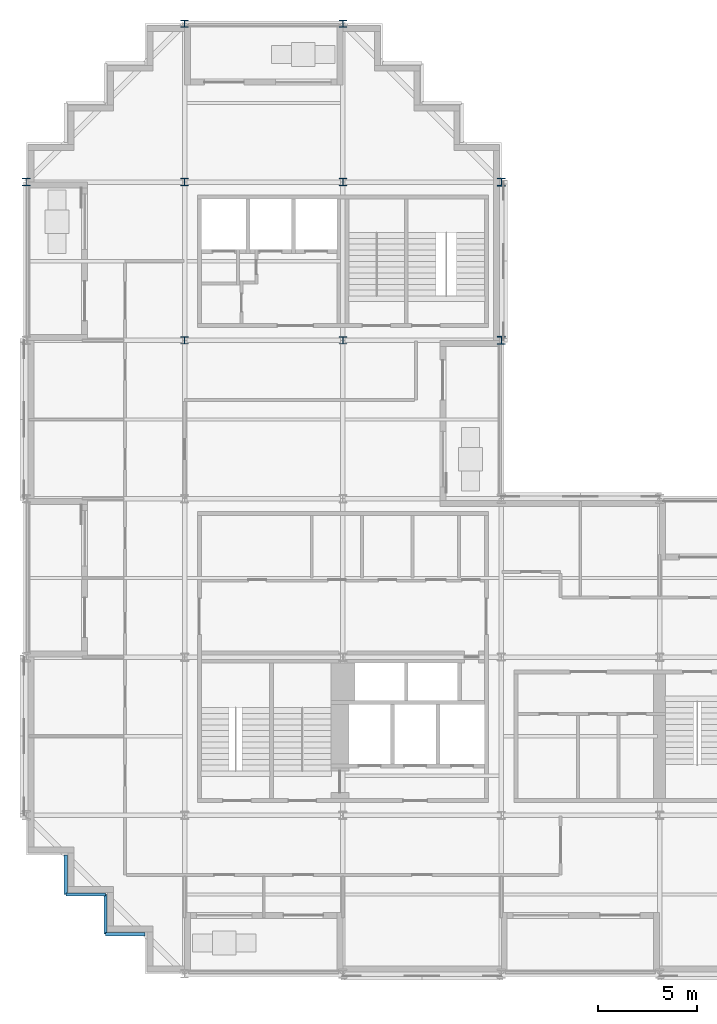
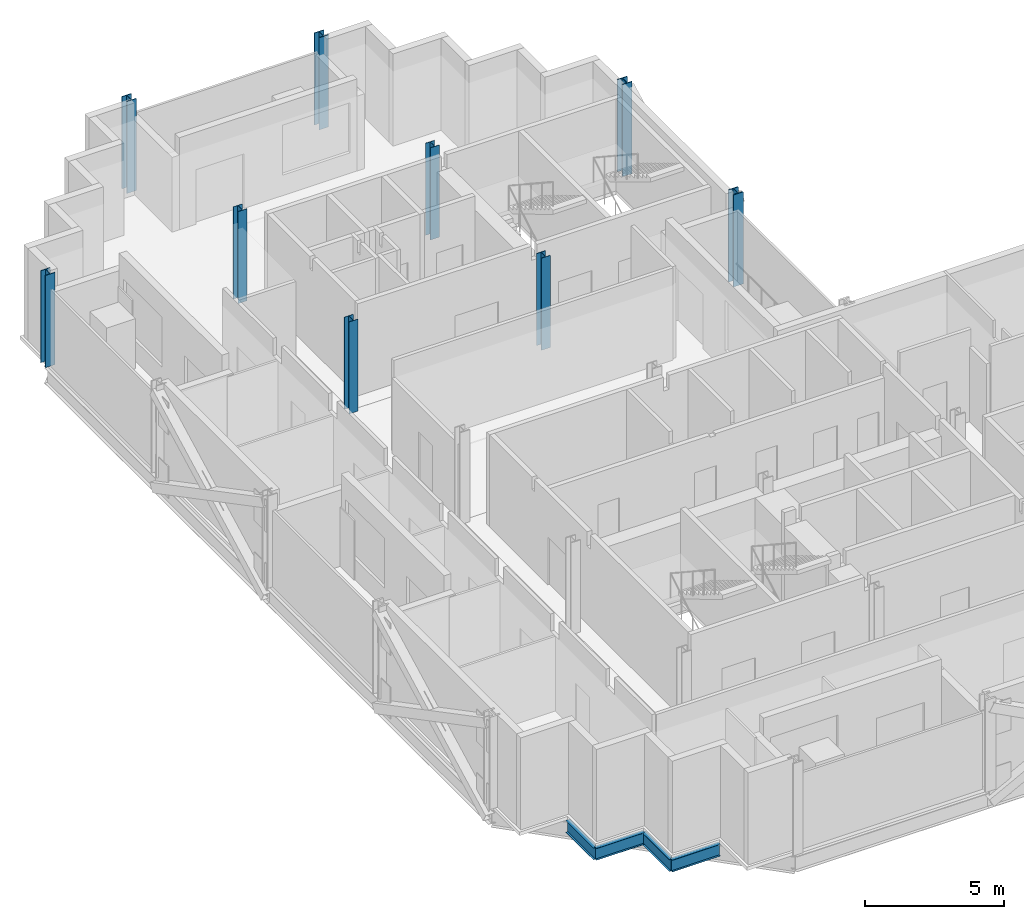
# One storey, part 2 of 12: 9 columns, 4 beams.
"""IFC4 building model written with IfcOpenShell, lengths in metres."""

import ifcopenshell
import ifcopenshell.guid

model = None  # the IFC model being written
_history = None  # IfcOwnerHistory: only IFC2X3 demands one
_inside = {}  # id of a spatial element -> (the spatial element, [elements in it])
_under = {}  # id of a project, library or spatial element -> (it, [spatial elements below it])
_declared = {}  # id of a project -> (the project, [libraries it declares])
_typed = {}  # id of a type object -> (the type object, [elements of that type])
_made_of = {}  # id of a material, layer set ... -> (it, [elements and type objects made of it])


def new_model(schema):
    """Start an empty IFC model of exactly this schema.

    Asked for "IFC4X3", IfcOpenShell would pick the latest addendum, in which some entities
    have other attributes; the version numbers below select the first issue.
    IFC2X3 requires an IfcOwnerHistory on every rooted entity: one is made here for all.
    """
    global model, _history
    if schema == "IFC4X3":
        model = ifcopenshell.file(schema_version=(4, 3, 0, 0))
    else:
        model = ifcopenshell.file(schema=schema)
    _inside.clear()
    _under.clear()
    _declared.clear()
    _typed.clear()
    _made_of.clear()
    _history = None
    if model.schema == "IFC2X3":
        org = make("IfcOrganization", Name="unknown")
        user = make(
            "IfcPersonAndOrganization",
            ThePerson=make("IfcPerson", FamilyName="unknown"),
            TheOrganization=org,
        )
        app = make(
            "IfcApplication",
            ApplicationDeveloper=org,
            Version="unknown",
            ApplicationFullName="unknown",
            ApplicationIdentifier="unknown",
        )
        _history = make(
            "IfcOwnerHistory",
            OwningUser=user,
            OwningApplication=app,
            ChangeAction="ADDED",
            CreationDate=0,
        )
    return model


def make(cls, **values):
    """One entity of the class cls with the attributes given. An attribute that is None is left unset."""
    return model.create_entity(
        cls, **{name: value for name, value in values.items() if value is not None}
    )


def rooted(cls, **values):
    """An entity with a GlobalId (a new one), such as an element, a storey or a relation."""
    return make(cls, GlobalId=ifcopenshell.guid.new(), OwnerHistory=_history, **values)


def si_unit(unit_type, name, prefix=None):
    """IfcSIUnit, for example si_unit("LENGTHUNIT", "METRE", prefix="MILLI")."""
    return make("IfcSIUnit", UnitType=unit_type, Prefix=prefix, Name=name)


def assignment(units):
    """IfcUnitAssignment: the units of a project."""
    return None if units is None else make("IfcUnitAssignment", Units=units)


def point(xyz):
    """IfcCartesianPoint."""
    return None if xyz is None else make("IfcCartesianPoint", Coordinates=xyz)


def direction(xyz):
    """IfcDirection."""
    return None if xyz is None else make("IfcDirection", DirectionRatios=xyz)


def frame(location, z_axis=None, x_axis=None):
    """IfcAxis2Placement3D, a coordinate frame: its origin and axes. An axis left out is left unset."""
    return make(
        "IfcAxis2Placement3D",
        Location=point(location),
        Axis=direction(z_axis),
        RefDirection=direction(x_axis),
    )


def frame_2d(location, x_axis=None):
    """IfcAxis2Placement2D, a coordinate frame in the plane: its origin and x axis."""
    return make(
        "IfcAxis2Placement2D", Location=point(location), RefDirection=direction(x_axis)
    )


def origin():
    """The frame at (0, 0, 0) with its axes left unset."""
    return frame((0.0, 0.0, 0.0))


def origin_2d():
    """The frame at (0, 0) in the plane with its x axis left unset."""
    return frame_2d((0.0, 0.0))


def place(relative_to, where):
    """IfcLocalPlacement: puts the frame where relative to a parent placement (None: the world)."""
    return make(
        "IfcLocalPlacement", PlacementRelTo=relative_to, RelativePlacement=where
    )


def context(
    kind, dimensions, precision=None, world=None, true_north=None, identifier=None
):
    """IfcGeometricRepresentationContext, for example the 3D "Model" context."""
    return make(
        "IfcGeometricRepresentationContext",
        ContextIdentifier=identifier,
        ContextType=kind,
        CoordinateSpaceDimension=dimensions,
        Precision=precision,
        WorldCoordinateSystem=world,
        TrueNorth=true_north,
    )


def subcontext(parent, identifier, kind, view, scale=None):
    """IfcGeometricRepresentationSubContext, for example "Body" below "Model"."""
    return make(
        "IfcGeometricRepresentationSubContext",
        ContextIdentifier=identifier,
        ContextType=kind,
        ParentContext=parent,
        TargetScale=scale,
        TargetView=view,
    )


def project(units=None, contexts=None):
    """IfcProject with its units and contexts."""
    return rooted(
        "IfcProject",
        Name="project",
        RepresentationContexts=contexts,
        UnitsInContext=assignment(units),
    )


def spatial(cls, under=None, at=None, **own):
    """A site, building, storey or space (cls), placed at a placement, below another one or the project."""
    s = rooted(cls, ObjectPlacement=at, **own)
    if under is not None:
        _under.setdefault(under.id(), (under, []))[1].append(s)
    return s


def profile(cls, at=None, kind="AREA", **sizes):
    """A parametric profile (cls). Its sizes go by their IFC names, for example OverallWidth=200.0."""
    return make(cls, ProfileType=kind, Position=at, **sizes)


def i_section(**sizes):
    """IfcIShapeProfileDef."""
    return profile("IfcIShapeProfileDef", **sizes)


def extrude(swept, where, along, depth):
    """IfcExtrudedAreaSolid: the profile swept, set in the frame where, extruded along a direction by depth."""
    return make(
        "IfcExtrudedAreaSolid",
        SweptArea=swept,
        Position=where,
        ExtrudedDirection=direction(along),
        Depth=depth,
    )


def shape(context_of_items, identifier, shape_type, items):
    """IfcShapeRepresentation: the items that make up one representation, for example the "Body"."""
    return make(
        "IfcShapeRepresentation",
        ContextOfItems=context_of_items,
        RepresentationIdentifier=identifier,
        RepresentationType=shape_type,
        Items=items,
    )


def material(Name=None, Category=None):
    """IfcMaterial."""
    return make("IfcMaterial", Name=Name, Category=Category)


def material_profile(
    of_material, cross_section, Name=None, Category=None, Priority=None
):
    """IfcMaterialProfile: a cross section and its material."""
    return make(
        "IfcMaterialProfile",
        Name=Name,
        Material=of_material,
        Profile=cross_section,
        Priority=Priority,
        Category=Category,
    )


def profile_set(profiles, Name=None, composite=None):
    """IfcMaterialProfileSet."""
    return make(
        "IfcMaterialProfileSet",
        Name=Name,
        MaterialProfiles=profiles,
        CompositeProfile=composite,
    )


def made_of(thing, what):
    """Note that an element or type object is made of a material, layer set ...; save() writes the relation."""
    if what is not None:
        _made_of.setdefault(what.id(), (what, []))[1].append(thing)
    return thing


def type_object(cls, material=None, **own):
    """A type object (cls), such as IfcWallType, which elements share."""
    return made_of(rooted(cls, **own), material)


def element(
    cls,
    number,
    at=None,
    inside=None,
    cuts=None,
    type_object=None,
    material=None,
    context=None,
    identifier="Body",
    shape_type=None,
    held_by="IfcProductDefinitionShape",
    body=None,
    shapes=None,
    **own,
):
    """One element of the class cls, such as IfcWall. Its Tag is "e" and its number.

    at: its placement. inside: the storey or other place that contains it. cuts: it is an
    opening in that element (IfcRelVoidsElement). A single representation is given by context,
    identifier, shape_type and body (its items); several are given by shapes. held_by: the class
    of the entity that holds the representations. save() writes the other relations.
    """
    e = rooted(cls, Tag="e%d" % number, ObjectPlacement=at, **own)
    if body is not None:
        shapes = [shape(context, identifier, shape_type, body)]
    if shapes is not None:
        e.Representation = make(held_by, Representations=shapes)
    if inside is not None:
        _inside.setdefault(inside.id(), (inside, []))[1].append(e)
    if cuts is not None:
        rooted(
            "IfcRelVoidsElement", RelatingBuildingElement=cuts, RelatedOpeningElement=e
        )
    if type_object is not None:
        _typed.setdefault(type_object.id(), (type_object, []))[1].append(e)
    return made_of(e, material)


def aggregate(whole, parts):
    """IfcRelAggregates: a whole, such as a stair, and the parts it consists of."""
    return rooted("IfcRelAggregates", RelatingObject=whole, RelatedObjects=parts)


def save(model, path):
    """Write the relations noted so far, then the file.

    IfcRelAggregates (storeys below a building ...), IfcRelContainedInSpatialStructure (elements
    in a storey), IfcRelDefinesByType, IfcRelAssociatesMaterial and IfcRelDeclares: one each for
    every whole, place, type object, material and project.
    """
    for whole, parts in _under.values():
        aggregate(whole, parts)
    for where, things in _inside.values():
        rooted(
            "IfcRelContainedInSpatialStructure",
            RelatedElements=things,
            RelatingStructure=where,
        )
    for kind, things in _typed.values():
        rooted("IfcRelDefinesByType", RelatedObjects=things, RelatingType=kind)
    for what, things in _made_of.values():
        rooted("IfcRelAssociatesMaterial", RelatedObjects=things, RelatingMaterial=what)
    for by, libraries in _declared.values():
        rooted("IfcRelDeclares", RelatingContext=by, RelatedDefinitions=libraries)
    model.write(path)


model = new_model("IFC4")

# Units and contexts
model_context = context("Model", 3, precision=1e-05, world=origin(), true_north=direction((0.0, 1.0)))
body_context = subcontext(model_context, "Body", "Model", "MODEL_VIEW")
ifc_project = project(units=[si_unit("LENGTHUNIT", "METRE"), si_unit("AREAUNIT", "SQUARE_METRE"), si_unit("VOLUMEUNIT", "CUBIC_METRE"), si_unit("PLANEANGLEUNIT", "RADIAN"), si_unit("MASSUNIT", "GRAM", prefix="KILO")], contexts=[model_context])

# Site, building, storey
site_placement = place(None, origin())
site = spatial("IfcSite", under=ifc_project, at=site_placement, CompositionType="ELEMENT")
building_placement = place(site_placement, origin())
building = spatial("IfcBuilding", under=site, at=building_placement, Name="Immortelle Media Tower", CompositionType="ELEMENT")
storey_placement = place(building_placement, frame((0.0, 0.0, 132.60009765625)))
storey = spatial("IfcBuildingStorey", under=building, at=storey_placement, Name="L26", CompositionType="ELEMENT", Elevation=132.60009765625)

# Columns
ifc_material = material(Name="Steel ASTM A992 Gr 50", Category="steel")
ifc_material_profile_1 = material_profile(ifc_material, i_section(OverallWidth=0.39404296875, OverallDepth=0.3759765625, WebThickness=0.01708984375, FlangeThickness=0.028076171875, at=origin_2d()), Name="W14x145")
ifc_profile_set_1 = profile_set([ifc_material_profile_1], Name="Steel ASTM A992 Gr 50")
column_type_1 = type_object("IfcColumnType", Name="W14x145 column", PredefinedType="COLUMN", material=ifc_profile_set_1)
for number, where, z_axis, x_axis, name in (
    (1, (0.0, 40.0, 0.0), (0.0, 0.0, 1.0), (1.0, 0.0, 0.0), "Column 1/F"),
    (2, (8.0, 48.0, 0.0), (0.0, 0.0, 1.0), (1.0, 0.0, 0.0), "Column 2/G"),
    (3, (16.0, 48.0, 0.0), (0.0, 0.0, 1.0), (1.0, 0.0, 0.0), "Column 3/G"),
):
    element("IfcColumn", number, at=place(storey_placement, frame(where, z_axis=z_axis, x_axis=x_axis)), inside=storey, type_object=column_type_1, Name=name, PredefinedType="COLUMN", context=body_context, shape_type="SweptSolid", body=[
        extrude(i_section(OverallWidth=0.39404296875, OverallDepth=0.3759765625, WebThickness=0.01708984375, FlangeThickness=0.028076171875, at=origin_2d()), origin(), (0.0, 0.0, 1.0), 4.0498046875),
    ])
ifc_material_profile_2 = material_profile(ifc_material, i_section(OverallWidth=0.40087890625, OverallDepth=0.39892578125, WebThickness=0.02490234375, FlangeThickness=0.0400390625, at=origin_2d()), Name="W14x211")
ifc_profile_set_2 = profile_set([ifc_material_profile_2], Name="Steel ASTM A992 Gr 50")
column_type_2 = type_object("IfcColumnType", Name="W14x211 column", PredefinedType="COLUMN", material=ifc_profile_set_2)
for number, where, z_axis, x_axis, name in (
    (4, (24.0, 32.0, 0.0), (0.0, 0.0, 1.0), (1.0, 0.0, 0.0), "Column 4/E"),
    (5, (24.0, 40.0, 0.0), (0.0, 0.0, 1.0), (1.0, 0.0, 0.0), "Column 4/F"),
):
    element("IfcColumn", number, at=place(storey_placement, frame(where, z_axis=z_axis, x_axis=x_axis)), inside=storey, type_object=column_type_2, Name=name, PredefinedType="COLUMN", context=body_context, shape_type="SweptSolid", body=[
        extrude(i_section(OverallWidth=0.40087890625, OverallDepth=0.39892578125, WebThickness=0.02490234375, FlangeThickness=0.0400390625, at=origin_2d()), origin(), (0.0, 0.0, 1.0), 4.0498046875),
    ])
ifc_material_profile_3 = material_profile(ifc_material, i_section(OverallWidth=0.37109375, OverallDepth=0.361083984375, WebThickness=0.011962890625, FlangeThickness=0.02001953125, at=origin_2d()), Name="W14x99")
ifc_profile_set_3 = profile_set([ifc_material_profile_3], Name="Steel ASTM A992 Gr 50")
column_type_3 = type_object("IfcColumnType", Name="W14x99 column", PredefinedType="COLUMN", material=ifc_profile_set_3)
for number, where, z_axis, x_axis, name in (
    (6, (8.0, 32.0, 0.0), (0.0, 0.0, 1.0), (1.0, 0.0, 0.0), "Column 2/E"),
    (7, (8.0, 40.0, 0.0), (0.0, 0.0, 1.0), (1.0, 0.0, 0.0), "Column 2/F"),
    (8, (16.0, 32.0, 0.0), (0.0, 0.0, 1.0), (1.0, 0.0, 0.0), "Column 3/E"),
    (9, (16.0, 40.0, 0.0), (0.0, 0.0, 1.0), (1.0, 0.0, 0.0), "Column 3/F"),
):
    element("IfcColumn", number, at=place(storey_placement, frame(where, z_axis=z_axis, x_axis=x_axis)), inside=storey, type_object=column_type_3, Name=name, PredefinedType="COLUMN", context=body_context, shape_type="SweptSolid", body=[
        extrude(i_section(OverallWidth=0.37109375, OverallDepth=0.361083984375, WebThickness=0.011962890625, FlangeThickness=0.02001953125, at=origin_2d()), origin(), (0.0, 0.0, 1.0), 4.0498046875),
    ])

# Beams
ifc_material_profile_4 = material_profile(ifc_material, i_section(OverallWidth=0.1650390625, OverallDepth=0.52587890625, WebThickness=0.009033203125, FlangeThickness=0.010986328125, at=origin_2d()), Name="W21x44")
ifc_profile_set_4 = profile_set([ifc_material_profile_4], Name="Steel ASTM A992 Gr 50")
beam_type = type_object("IfcBeamType", Name="W21x44 serration edge beam", PredefinedType="SPANDREL", material=ifc_profile_set_4)
for number, where, z_axis, x_axis, name in (
    (10, (6.0, 2.0, -0.4130859375), (-1.0, 0.0, 0.0), (0.0, -1.0, 0.0), "Corner edge beam 1 at 1/A"),
    (11, (4.0, 2.0, -0.4130859375), (0.0, 1.0, 0.0), (-1.0, 0.0, 0.0), "Corner edge beam 2 at 1/A"),
    (12, (4.0, 4.0, -0.4130859375), (-1.0, 0.0, 0.0), (0.0, -1.0, 0.0), "Corner edge beam 3 at 1/A"),
    (13, (2.0, 4.0, -0.4130859375), (0.0, 1.0, 0.0), (-1.0, 0.0, 0.0), "Corner edge beam 4 at 1/A"),
):
    element("IfcBeam", number, at=place(storey_placement, frame(where, z_axis=z_axis, x_axis=x_axis)), inside=storey, type_object=beam_type, Name=name, PredefinedType="SPANDREL", context=body_context, shape_type="SweptSolid", body=[
        extrude(i_section(OverallWidth=0.1650390625, OverallDepth=0.52587890625, WebThickness=0.009033203125, FlangeThickness=0.010986328125, at=origin_2d()), origin(), (0.0, 0.0, 1.0), 2.0),
    ])

save(model, "model.ifc")
